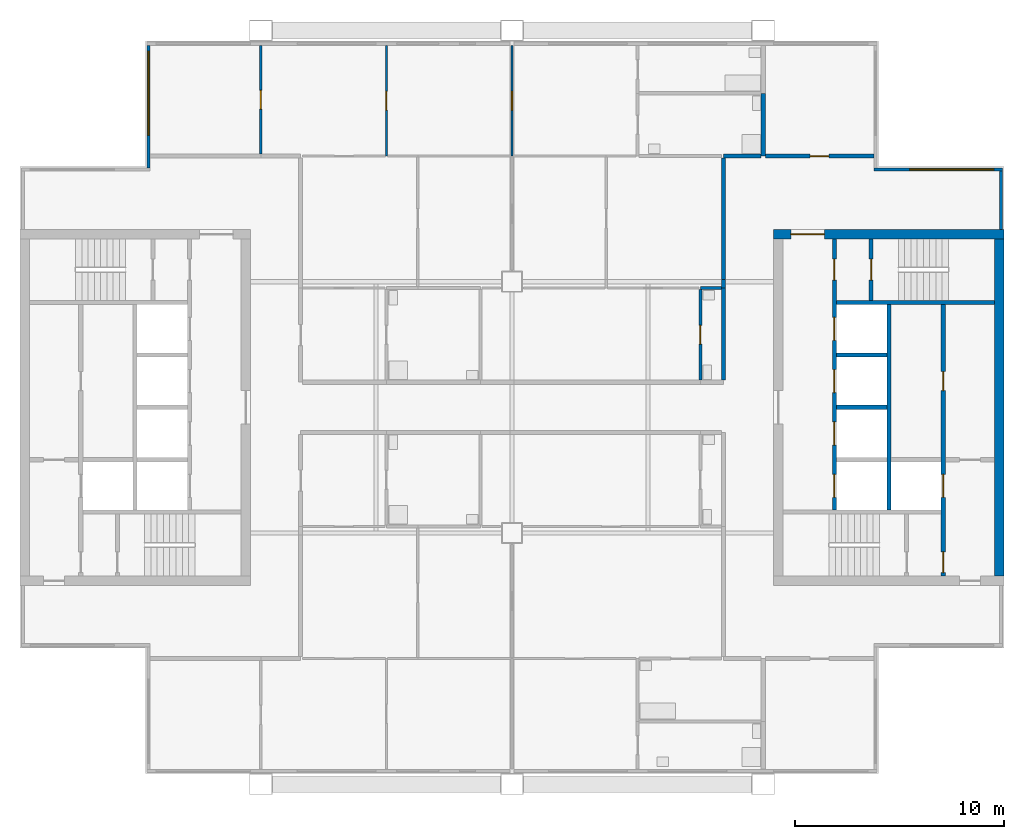
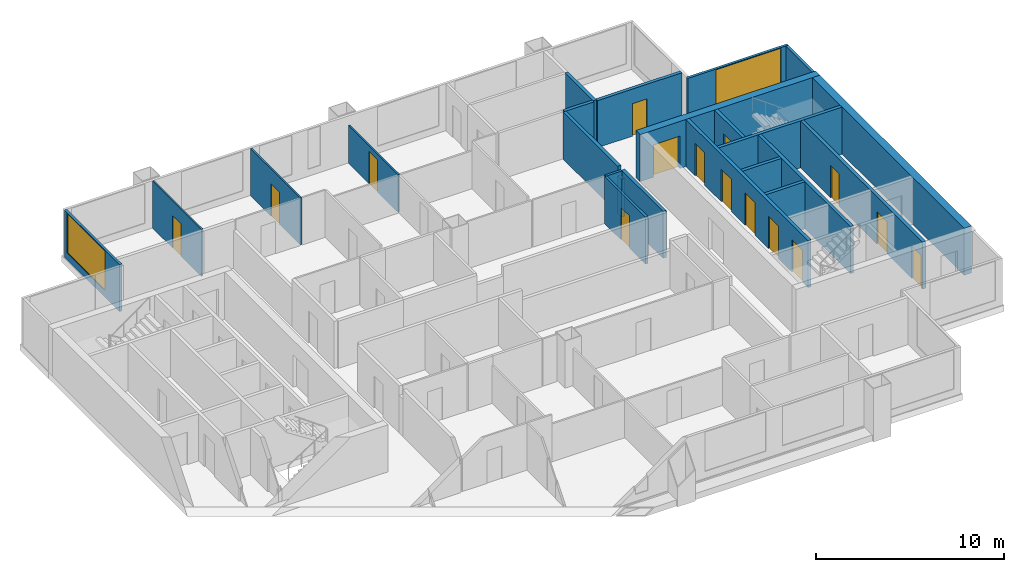
# One storey, part 5 of 8: 23 walls, 15 doors, 2 windows, 17 openings.
"""IFC4 building model written with IfcOpenShell, lengths in metres."""

from ifc_helpers import new_model, si_unit, direction, frame, frame_2d, origin, place, context, subcontext, project, spatial, rectangle, extrude, material, layer, layer_set, type_object, element, fill, save


model = new_model("IFC4")

# Units and contexts
model_context = context("Model", 3, precision=1e-05, world=origin(), true_north=direction((0.0, 1.0)))
body_context = subcontext(model_context, "Body", "Model", "MODEL_VIEW")
ifc_project = project(units=[si_unit("LENGTHUNIT", "METRE"), si_unit("AREAUNIT", "SQUARE_METRE"), si_unit("VOLUMEUNIT", "CUBIC_METRE"), si_unit("PLANEANGLEUNIT", "RADIAN"), si_unit("MASSUNIT", "GRAM", prefix="KILO")], contexts=[model_context])

# Site, building, storey
site_placement = place(None, origin())
site = spatial("IfcSite", under=ifc_project, at=site_placement, CompositionType="ELEMENT")
building_placement = place(site_placement, origin())
building = spatial("IfcBuilding", under=site, at=building_placement, Name="Kitamizu Gate Tower and Museum", CompositionType="ELEMENT")
storey_placement = place(building_placement, frame((0.0, 0.0, 235.199951171875)))
storey = spatial("IfcBuildingStorey", under=building, at=storey_placement, Name="L63", CompositionType="ELEMENT", Elevation=235.199951171875)

# Wall, opening, door
ifc_material_1 = material(Name="Concrete Fc42", Category="concrete")
ifc_layer_1 = layer(ifc_material_1, 0.449951171875)
ifc_layer_set_1 = layer_set([ifc_layer_1], Name="Concrete Fc42")
wall_type_1 = type_object("IfcWallType", Name="Core wall 450", PredefinedType="SHEAR", material=ifc_layer_set_1)
wall_1_placement = place(storey_placement, frame((59.5, 38.27490234375, 0.0), z_axis=(0.0, 0.0, 1.0), x_axis=(-1.0, 0.0, 0.0)))
wall_1 = element("IfcWall", 1, at=wall_1_placement, inside=storey, type_object=wall_type_1, Name="Core wall EN", PredefinedType="SHEAR", context=body_context, shape_type="SweptSolid", body=[
    extrude(rectangle(XDim=11.0, YDim=0.449951171875, at=frame_2d((5.5, 0.0))), origin(), (0.0, 0.0, 1.0), 3.050048828125),
])
opening_1_placement = place(wall_1_placement, frame((8.574951171875, 0.0, 0.0)))
opening_1 = element("IfcOpeningElement", 2, at=opening_1_placement, cuts=wall_1, Name="Opening L63-045", PredefinedType="OPENING", context=body_context, shape_type="SweptSolid", body=[
    extrude(rectangle(XDim=1.60009765625, YDim=2.10009765625, at=frame_2d((0.800048828125, 1.050048828125))), frame((0.0, 0.23486328125, 0.0), z_axis=(0.0, -1.0, 0.0), x_axis=(1.0, 0.0, 0.0)), (0.0, 0.0, 1.0), 0.469970703125),
])
ifc_material_2 = material(Name="Timber door set", Category="wood")
door_type_1 = type_object("IfcDoorType", Name="Entrance door 1600", OperationType="DOUBLE_DOOR_SINGLE_SWING", PredefinedType="DOOR", material=ifc_material_2)
door_1_placement = place(opening_1_placement, origin())
door_1 = element("IfcDoor", 3, at=door_1_placement, inside=storey, type_object=door_type_1, Name="Lobby door L63-045", OperationType="DOUBLE_DOOR_SINGLE_SWING", OverallHeight=2.10009765625, OverallWidth=1.60009765625, PredefinedType="DOOR", context=body_context, shape_type="SweptSolid", body=[
    extrude(rectangle(XDim=1.60009765625, YDim=2.10009765625, at=frame_2d((0.800048828125, 1.050048828125))), frame((0.0, 0.02490234375, 0.0), z_axis=(0.0, -1.0, 0.0), x_axis=(1.0, 0.0, 0.0)), (0.0, 0.0, 1.0), 0.050048828125),
])
fill(opening_1, door_1)

# Wall
wall_2_placement = place(storey_placement, frame((59.27490234375, 21.949951171875, 0.0), z_axis=(0.0, 0.0, 1.0), x_axis=(0.0, 1.0, 0.0)))
element("IfcWall", 4, at=wall_2_placement, inside=storey, type_object=wall_type_1, Name="Core wall EOUT", PredefinedType="SHEAR", context=body_context, shape_type="SweptSolid", body=[
    extrude(rectangle(XDim=16.10009765625, YDim=0.449951171875, at=frame_2d((8.050048828125, 0.0))), origin(), (0.0, 0.0, 1.0), 3.050048828125),
])

# Wall, opening, door
ifc_material_3 = material(Name="Gypsum board on galvanised stud")
ifc_layer_2 = layer(ifc_material_3, 0.10009765625)
ifc_layer_set_2 = layer_set([ifc_layer_2], Name="Gypsum board on galvanised stud")
wall_type_2 = type_object("IfcWallType", Name="Partition 100 NOT RATED", PredefinedType="PARTITIONING", material=ifc_layer_set_2)
wall_3_placement = place(storey_placement, frame((24.0, 42.10009765625, 0.0), z_axis=(0.0, 0.0, 1.0), x_axis=(0.0, 1.0, 0.0)))
wall_3 = element("IfcWall", 5, at=wall_3_placement, inside=storey, type_object=wall_type_2, Name="Partition L63-038", PredefinedType="PARTITIONING", context=body_context, shape_type="SweptSolid", body=[
    extrude(rectangle(XDim=5.179931640625, YDim=0.10009765625, at=frame_2d((2.58984375, 0.0))), origin(), (0.0, 0.0, 1.0), 3.050048828125),
])
opening_2_placement = place(wall_3_placement, frame((2.139892578125, 0.0, 0.0)))
opening_2 = element("IfcOpeningElement", 6, at=opening_2_placement, cuts=wall_3, Name="Opening L63-027", PredefinedType="OPENING", context=body_context, shape_type="SweptSolid", body=[
    extrude(rectangle(XDim=0.89990234375, YDim=2.10009765625, at=frame_2d((0.449951171875, 1.050048828125))), frame((0.0, 0.06005859375, 0.0), z_axis=(0.0, -1.0, 0.0), x_axis=(1.0, 0.0, 0.0)), (0.0, 0.0, 1.0), 0.1201171875),
])
ifc_material_4 = material(Name="Timber door set", Category="wood")
door_type_2 = type_object("IfcDoorType", Name="Room door 900", OperationType="NOTDEFINED", PredefinedType="DOOR", material=ifc_material_4)
door_2_placement = place(opening_2_placement, origin())
door_2 = element("IfcDoor", 7, at=door_2_placement, inside=storey, type_object=door_type_2, Name="Door L63-027", OperationType="SINGLE_SWING_RIGHT", OverallHeight=2.10009765625, OverallWidth=0.89990234375, PredefinedType="DOOR", context=body_context, shape_type="SweptSolid", body=[
    extrude(rectangle(XDim=0.89990234375, YDim=2.10009765625, at=frame_2d((0.449951171875, 1.050048828125))), frame((0.0, 0.02490234375, 0.0), z_axis=(0.0, -1.0, 0.0), x_axis=(1.0, 0.0, 0.0)), (0.0, 0.0, 1.0), 0.050048828125),
])
fill(opening_2, door_2)

wall_4_placement = place(storey_placement, frame((30.0, 42.0, 0.0), z_axis=(0.0, 0.0, 1.0), x_axis=(0.0, 1.0, 0.0)))
wall_4 = element("IfcWall", 8, at=wall_4_placement, inside=storey, type_object=wall_type_2, Name="Partition L63-040", PredefinedType="PARTITIONING", context=body_context, shape_type="SweptSolid", body=[
    extrude(rectangle(XDim=5.280029296875, YDim=0.10009765625, at=frame_2d((2.64013671875, 0.0))), origin(), (0.0, 0.0, 1.0), 3.050048828125),
])
opening_3_placement = place(wall_4_placement, frame((2.18994140625, 0.0, 0.0)))
opening_3 = element("IfcOpeningElement", 9, at=opening_3_placement, cuts=wall_4, Name="Opening L63-018", PredefinedType="OPENING", context=body_context, shape_type="SweptSolid", body=[
    extrude(rectangle(XDim=0.89990234375, YDim=2.10009765625, at=frame_2d((0.449951171875, 1.050048828125))), frame((0.0, 0.06005859375, 0.0), z_axis=(0.0, -1.0, 0.0), x_axis=(1.0, 0.0, 0.0)), (0.0, 0.0, 1.0), 0.1201171875),
])
door_3_placement = place(opening_3_placement, origin())
door_3 = element("IfcDoor", 10, at=door_3_placement, inside=storey, type_object=door_type_2, Name="Door L63-018", OperationType="SINGLE_SWING_LEFT", OverallHeight=2.10009765625, OverallWidth=0.89990234375, PredefinedType="DOOR", context=body_context, shape_type="SweptSolid", body=[
    extrude(rectangle(XDim=0.89990234375, YDim=2.10009765625, at=frame_2d((0.449951171875, 1.050048828125))), frame((0.0, 0.02490234375, 0.0), z_axis=(0.0, -1.0, 0.0), x_axis=(1.0, 0.0, 0.0)), (0.0, 0.0, 1.0), 0.050048828125),
])
fill(opening_3, door_3)

wall_5_placement = place(storey_placement, frame((36.0, 42.0, 0.0), z_axis=(0.0, 0.0, 1.0), x_axis=(0.0, 1.0, 0.0)))
wall_5 = element("IfcWall", 11, at=wall_5_placement, inside=storey, type_object=wall_type_2, Name="Partition L63-043", PredefinedType="PARTITIONING", context=body_context, shape_type="SweptSolid", body=[
    extrude(rectangle(XDim=5.280029296875, YDim=0.10009765625, at=frame_2d((2.64013671875, 0.0))), origin(), (0.0, 0.0, 1.0), 2.449951171875),
])
opening_4_placement = place(wall_5_placement, frame((2.18994140625, 0.0, 0.0)))
opening_4 = element("IfcOpeningElement", 12, at=opening_4_placement, cuts=wall_5, Name="Opening L63-019", PredefinedType="OPENING", context=body_context, shape_type="SweptSolid", body=[
    extrude(rectangle(XDim=0.89990234375, YDim=2.10009765625, at=frame_2d((0.449951171875, 1.050048828125))), frame((0.0, 0.06005859375, 0.0), z_axis=(0.0, -1.0, 0.0), x_axis=(1.0, 0.0, 0.0)), (0.0, 0.0, 1.0), 0.1201171875),
])
door_4_placement = place(opening_4_placement, origin())
door_4 = element("IfcDoor", 13, at=door_4_placement, inside=storey, type_object=door_type_2, Name="Door L63-019", OperationType="SINGLE_SWING_RIGHT", OverallHeight=2.10009765625, OverallWidth=0.89990234375, PredefinedType="DOOR", context=body_context, shape_type="SweptSolid", body=[
    extrude(rectangle(XDim=0.89990234375, YDim=2.10009765625, at=frame_2d((0.449951171875, 1.050048828125))), frame((0.0, 0.02490234375, 0.0), z_axis=(0.0, -1.0, 0.0), x_axis=(1.0, 0.0, 0.0)), (0.0, 0.0, 1.0), 0.050048828125),
])
fill(opening_4, door_4)

# Wall
ifc_material_5 = material(Name="Gypsum board on galvanised stud")
ifc_layer_3 = layer(ifc_material_5, 0.14990234375)
ifc_layer_set_3 = layer_set([ifc_layer_3], Name="Gypsum board on galvanised stud")
wall_type_3 = type_object("IfcWallType", Name="Partition 150", PredefinedType="PARTITIONING", material=ifc_layer_set_3)
wall_6_placement = place(storey_placement, frame((45.0, 35.699951171875, 0.0), z_axis=(0.0, 0.0, 1.0), x_axis=(1.0, 0.0, 0.0)))
element("IfcWall", 14, at=wall_6_placement, inside=storey, type_object=wall_type_3, Name="Partition L63-067", PredefinedType="PARTITIONING", context=body_context, shape_type="SweptSolid", body=[
    extrude(rectangle(XDim=1.0, YDim=0.14990234375, at=frame_2d((0.5, 0.0))), origin(), (0.0, 0.0, 1.0), 3.050048828125),
])

# Wall, opening, door
wall_7_placement = place(storey_placement, frame((45.0, 31.300048828125, 0.0), z_axis=(0.0, 0.0, 1.0), x_axis=(0.0, 1.0, 0.0)))
wall_7 = element("IfcWall", 15, at=wall_7_placement, inside=storey, type_object=wall_type_3, Name="Partition L63-075", PredefinedType="PARTITIONING", context=body_context, shape_type="SweptSolid", body=[
    extrude(rectangle(XDim=4.324951171875, YDim=0.14990234375, at=frame_2d((2.16259765625, 0.0))), origin(), (0.0, 0.0, 1.0), 3.050048828125),
])
opening_5_placement = place(wall_7_placement, frame((1.71240234375, 0.0, 0.0)))
opening_5 = element("IfcOpeningElement", 16, at=opening_5_placement, cuts=wall_7, Name="Opening L63-026", PredefinedType="OPENING", context=body_context, shape_type="SweptSolid", body=[
    extrude(rectangle(XDim=0.89990234375, YDim=2.10009765625, at=frame_2d((0.449951171875, 1.050048828125))), frame((0.0, 0.0849609375, 0.0), z_axis=(0.0, -1.0, 0.0), x_axis=(1.0, 0.0, 0.0)), (0.0, 0.0, 1.0), 0.169921875),
])
ifc_material_6 = material(Name="Timber door set", Category="wood")
door_type_3 = type_object("IfcDoorType", Name="Bathroom door 900", OperationType="NOTDEFINED", PredefinedType="DOOR", material=ifc_material_6)
door_5_placement = place(opening_5_placement, frame((0.89990234375, 0.0, 0.0), x_axis=(-1.0, 0.0, 0.0)))
door_5 = element("IfcDoor", 17, at=door_5_placement, inside=storey, type_object=door_type_3, Name="Bathroom door L63-026", OperationType="SINGLE_SWING_RIGHT", OverallHeight=2.10009765625, OverallWidth=0.89990234375, PredefinedType="DOOR", context=body_context, shape_type="SweptSolid", body=[
    extrude(rectangle(XDim=0.89990234375, YDim=2.10009765625, at=frame_2d((0.449951171875, 1.050048828125))), frame((0.0, 0.02490234375, 0.0), z_axis=(0.0, -1.0, 0.0), x_axis=(1.0, 0.0, 0.0)), (0.0, 0.0, 1.0), 0.050048828125),
])
fill(opening_5, door_5)

# Walls
ifc_material_7 = material(Name="Gypsum board on galvanised stud")
ifc_layer_4 = layer(ifc_material_7, 0.199951171875)
ifc_layer_set_4 = layer_set([ifc_layer_4], Name="Gypsum board on galvanised stud")
wall_type_4 = type_object("IfcWallType", Name="Partition 200", PredefinedType="PARTITIONING", material=ifc_layer_set_4)
wall_8_placement = place(storey_placement, frame((48.0, 42.0, 0.0), z_axis=(0.0, 0.0, 1.0), x_axis=(0.0, 1.0, 0.0)))
element("IfcWall", 18, at=wall_8_placement, inside=storey, type_object=wall_type_4, Name="Partition L63-052", PredefinedType="PARTITIONING", context=body_context, shape_type="SweptSolid", body=[
    extrude(rectangle(XDim=3.0, YDim=0.199951171875, at=frame_2d((1.5, 0.0))), origin(), (0.0, 0.0, 1.0), 3.050048828125),
])
wall_9_placement = place(storey_placement, frame((46.10009765625, 42.0, 0.0), z_axis=(0.0, 0.0, 1.0), x_axis=(1.0, 0.0, 0.0)))
element("IfcWall", 19, at=wall_9_placement, inside=storey, type_object=wall_type_4, Name="Partition L63-053", PredefinedType="PARTITIONING", context=body_context, shape_type="SweptSolid", body=[
    extrude(rectangle(XDim=1.7998046875, YDim=0.199951171875, at=frame_2d((0.89990234375, 0.0))), origin(), (0.0, 0.0, 1.0), 3.050048828125),
])
wall_10_placement = place(storey_placement, frame((46.10009765625, 35.699951171875, 0.0), z_axis=(0.0, 0.0, 1.0), x_axis=(0.0, 1.0, 0.0)))
element("IfcWall", 20, at=wall_10_placement, inside=storey, type_object=wall_type_4, Name="Partition L63-068", PredefinedType="PARTITIONING", context=body_context, shape_type="SweptSolid", body=[
    extrude(rectangle(XDim=0.400146484375, YDim=0.199951171875, at=frame_2d((0.2001953125, 0.0))), origin(), (0.0, 0.0, 1.0), 2.449951171875),
])
wall_11_placement = place(storey_placement, frame((46.10009765625, 36.10009765625, 0.0), z_axis=(0.0, 0.0, 1.0), x_axis=(0.0, 1.0, 0.0)))
element("IfcWall", 21, at=wall_11_placement, inside=storey, type_object=wall_type_4, Name="Partition L63-069", PredefinedType="PARTITIONING", context=body_context, shape_type="SweptSolid", body=[
    extrude(rectangle(XDim=5.7998046875, YDim=0.199951171875, at=frame_2d((2.89990234375, 0.0))), origin(), (0.0, 0.0, 1.0), 3.050048828125),
])
wall_12_placement = place(storey_placement, frame((46.10009765625, 31.300048828125, 0.0), z_axis=(0.0, 0.0, 1.0), x_axis=(0.0, 1.0, 0.0)))
element("IfcWall", 22, at=wall_12_placement, inside=storey, type_object=wall_type_4, Name="Partition L63-079", PredefinedType="PARTITIONING", context=body_context, shape_type="SweptSolid", body=[
    extrude(rectangle(XDim=4.39990234375, YDim=0.199951171875, at=frame_2d((2.199951171875, 0.0))), origin(), (0.0, 0.0, 1.0), 3.050048828125),
])

# Wall, opening, door
wall_13_placement = place(storey_placement, frame((48.10009765625, 42.0, 0.0), z_axis=(0.0, 0.0, 1.0), x_axis=(1.0, 0.0, 0.0)))
wall_13 = element("IfcWall", 23, at=wall_13_placement, inside=storey, type_object=wall_type_4, Name="Partition L63-081", PredefinedType="PARTITIONING", context=body_context, shape_type="SweptSolid", body=[
    extrude(rectangle(XDim=5.179931640625, YDim=0.199951171875, at=frame_2d((2.58984375, 0.0))), origin(), (0.0, 0.0, 1.0), 3.050048828125),
])
opening_6_placement = place(wall_13_placement, frame((2.139892578125, 0.0, 0.0)))
opening_6 = element("IfcOpeningElement", 24, at=opening_6_placement, cuts=wall_13, Name="Opening L63-029", PredefinedType="OPENING", context=body_context, shape_type="SweptSolid", body=[
    extrude(rectangle(XDim=0.89990234375, YDim=2.10009765625, at=frame_2d((0.449951171875, 1.050048828125))), frame((0.0, 0.10986328125, 0.0), z_axis=(0.0, -1.0, 0.0), x_axis=(1.0, 0.0, 0.0)), (0.0, 0.0, 1.0), 0.219970703125),
])
door_6_placement = place(opening_6_placement, origin())
door_6 = element("IfcDoor", 25, at=door_6_placement, inside=storey, type_object=door_type_2, Name="Door L63-029", OperationType="SINGLE_SWING_RIGHT", OverallHeight=2.10009765625, OverallWidth=0.89990234375, PredefinedType="DOOR", context=body_context, shape_type="SweptSolid", body=[
    extrude(rectangle(XDim=0.89990234375, YDim=2.10009765625, at=frame_2d((0.449951171875, 1.050048828125))), frame((0.0, 0.02490234375, 0.0), z_axis=(0.0, -1.0, 0.0), x_axis=(1.0, 0.0, 0.0)), (0.0, 0.0, 1.0), 0.050048828125),
])
fill(opening_6, door_6)

# Wall, openings, doors
ifc_material_8 = material(Name="Concrete Fc42", Category="concrete")
ifc_layer_5 = layer(ifc_material_8, 0.199951171875)
ifc_layer_set_5 = layer_set([ifc_layer_5], Name="Concrete Fc42")
wall_type_5 = type_object("IfcWallType", Name="Shaft wall 200", PredefinedType="SOLIDWALL", material=ifc_layer_set_5)
wall_14_placement = place(storey_placement, frame((56.60009765625, 21.949951171875, 0.0), z_axis=(0.0, 0.0, 1.0), x_axis=(0.0, 1.0, 0.0)))
wall_14 = element("IfcWall", 26, at=wall_14_placement, inside=storey, type_object=wall_type_5, Name="Shaft wall EWEST", PredefinedType="SOLIDWALL", context=body_context, shape_type="SweptSolid", body=[
    extrude(rectangle(XDim=12.949951171875, YDim=0.199951171875, at=frame_2d((6.47509765625, 0.0))), origin(), (0.0, 0.0, 1.0), 3.050048828125),
])
opening_7_placement = place(wall_14_placement, frame((3.75, 0.0, 0.0)))
opening_7 = element("IfcOpeningElement", 27, at=opening_7_placement, cuts=wall_14, Name="Opening LD", PredefinedType="OPENING", context=body_context, shape_type="SweptSolid", body=[
    extrude(rectangle(XDim=1.10009765625, YDim=2.10009765625, at=frame_2d((0.550048828125, 1.050048828125))), frame((0.0, 0.10986328125, 0.0), z_axis=(0.0, -1.0, 0.0), x_axis=(1.0, 0.0, 0.0)), (0.0, 0.0, 1.0), 0.219970703125),
])
opening_8_placement = place(wall_14_placement, frame((0.14990234375, 0.0, 0.0)))
opening_8 = element("IfcOpeningElement", 28, at=opening_8_placement, cuts=wall_14, Name="Opening L63-040", PredefinedType="OPENING", context=body_context, shape_type="SweptSolid", body=[
    extrude(rectangle(XDim=1.0, YDim=2.10009765625, at=frame_2d((0.5, 1.050048828125))), frame((0.0, 0.10986328125, 0.0), z_axis=(0.0, -1.0, 0.0), x_axis=(1.0, 0.0, 0.0)), (0.0, 0.0, 1.0), 0.219970703125),
])
opening_9_placement = place(wall_14_placement, frame((8.85009765625, 0.0, 0.0)))
opening_9 = element("IfcOpeningElement", 29, at=opening_9_placement, cuts=wall_14, Name="Opening L63-047", PredefinedType="OPENING", context=body_context, shape_type="SweptSolid", body=[
    extrude(rectangle(XDim=0.89990234375, YDim=2.10009765625, at=frame_2d((0.449951171875, 1.050048828125))), frame((0.0, 0.10986328125, 0.0), z_axis=(0.0, -1.0, 0.0), x_axis=(1.0, 0.0, 0.0)), (0.0, 0.0, 1.0), 0.219970703125),
])
ifc_material_9 = material(Name="Hollow metal door set")
door_type_4 = type_object("IfcDoorType", Name="Fire door 1000", OperationType="NOTDEFINED", PredefinedType="DOOR", material=ifc_material_9)
door_7_placement = place(opening_8_placement, origin())
door_7 = element("IfcDoor", 30, at=door_7_placement, inside=storey, type_object=door_type_4, Name="Stair lobby door L63-040", OperationType="SINGLE_SWING_RIGHT", OverallHeight=2.10009765625, OverallWidth=1.0, PredefinedType="DOOR", context=body_context, shape_type="SweptSolid", body=[
    extrude(rectangle(XDim=1.0, YDim=2.10009765625, at=frame_2d((0.5, 1.050048828125))), frame((0.0, 0.02490234375, 0.0), z_axis=(0.0, -1.0, 0.0), x_axis=(1.0, 0.0, 0.0)), (0.0, 0.0, 1.0), 0.050048828125),
])
fill(opening_8, door_7)
ifc_material_10 = material(Name="Hollow metal door set")
door_type_5 = type_object("IfcDoorType", Name="Landing door 1100", OperationType="SLIDING_TO_LEFT", PredefinedType="DOOR", material=ifc_material_10)
door_8_placement = place(opening_7_placement, origin())
door_8 = element("IfcDoor", 31, at=door_8_placement, inside=storey, type_object=door_type_5, Name="Landing door EFF1", OperationType="SLIDING_TO_LEFT", OverallHeight=2.10009765625, OverallWidth=1.10009765625, PredefinedType="DOOR", context=body_context, shape_type="SweptSolid", body=[
    extrude(rectangle(XDim=1.10009765625, YDim=2.10009765625, at=frame_2d((0.550048828125, 1.050048828125))), frame((0.0, 0.02490234375, 0.0), z_axis=(0.0, -1.0, 0.0), x_axis=(1.0, 0.0, 0.0)), (0.0, 0.0, 1.0), 0.050048828125),
])
fill(opening_7, door_8)
ifc_material_11 = material(Name="Timber door set", Category="wood")
door_type_6 = type_object("IfcDoorType", Name="Service door 900", OperationType="NOTDEFINED", PredefinedType="DOOR", material=ifc_material_11)
door_9_placement = place(opening_9_placement, origin())
door_9 = element("IfcDoor", 32, at=door_9_placement, inside=storey, type_object=door_type_6, Name="Service door L63-047", OperationType="SINGLE_SWING_RIGHT", OverallHeight=2.10009765625, OverallWidth=0.89990234375, PredefinedType="DOOR", context=body_context, shape_type="SweptSolid", body=[
    extrude(rectangle(XDim=0.89990234375, YDim=2.10009765625, at=frame_2d((0.449951171875, 1.050048828125))), frame((0.0, 0.02490234375, 0.0), z_axis=(0.0, -1.0, 0.0), x_axis=(1.0, 0.0, 0.0)), (0.0, 0.0, 1.0), 0.050048828125),
])
fill(opening_9, door_9)

wall_15_placement = place(storey_placement, frame((51.39990234375, 25.10009765625, 0.0), z_axis=(0.0, 0.0, 1.0), x_axis=(0.0, 1.0, 0.0)))
wall_15 = element("IfcWall", 33, at=wall_15_placement, inside=storey, type_object=wall_type_5, Name="Shaft wall EEAST", PredefinedType="SOLIDWALL", context=body_context, shape_type="SweptSolid", body=[
    extrude(rectangle(XDim=12.949951171875, YDim=0.199951171875, at=frame_2d((6.47509765625, 0.0))), origin(), (0.0, 0.0, 1.0), 3.050048828125),
])
opening_10_placement = place(wall_15_placement, frame((0.60009765625, 0.0, 0.0)))
opening_10 = element("IfcOpeningElement", 34, at=opening_10_placement, cuts=wall_15, Name="Opening LD", PredefinedType="OPENING", context=body_context, shape_type="SweptSolid", body=[
    extrude(rectangle(XDim=1.10009765625, YDim=2.10009765625, at=frame_2d((0.550048828125, 1.050048828125))), frame((0.0, 0.10986328125, 0.0), z_axis=(0.0, -1.0, 0.0), x_axis=(1.0, 0.0, 0.0)), (0.0, 0.0, 1.0), 0.219970703125),
])
opening_11_placement = place(wall_15_placement, frame((3.10009765625, 0.0, 0.0)))
opening_11 = element("IfcOpeningElement", 35, at=opening_11_placement, cuts=wall_15, Name="Opening LD", PredefinedType="OPENING", context=body_context, shape_type="SweptSolid", body=[
    extrude(rectangle(XDim=1.10009765625, YDim=2.10009765625, at=frame_2d((0.550048828125, 1.050048828125))), frame((0.0, 0.10986328125, 0.0), z_axis=(0.0, -1.0, 0.0), x_axis=(1.0, 0.0, 0.0)), (0.0, 0.0, 1.0), 0.219970703125),
])
opening_12_placement = place(wall_15_placement, frame((5.60009765625, 0.0, 0.0)))
opening_12 = element("IfcOpeningElement", 36, at=opening_12_placement, cuts=wall_15, Name="Opening LD", PredefinedType="OPENING", context=body_context, shape_type="SweptSolid", body=[
    extrude(rectangle(XDim=1.10009765625, YDim=2.10009765625, at=frame_2d((0.550048828125, 1.050048828125))), frame((0.0, 0.10986328125, 0.0), z_axis=(0.0, -1.0, 0.0), x_axis=(1.0, 0.0, 0.0)), (0.0, 0.0, 1.0), 0.219970703125),
])
opening_13_placement = place(wall_15_placement, frame((8.10009765625, 0.0, 0.0)))
opening_13 = element("IfcOpeningElement", 37, at=opening_13_placement, cuts=wall_15, Name="Opening LD", PredefinedType="OPENING", context=body_context, shape_type="SweptSolid", body=[
    extrude(rectangle(XDim=1.10009765625, YDim=2.10009765625, at=frame_2d((0.550048828125, 1.050048828125))), frame((0.0, 0.10986328125, 0.0), z_axis=(0.0, -1.0, 0.0), x_axis=(1.0, 0.0, 0.0)), (0.0, 0.0, 1.0), 0.219970703125),
])
opening_14_placement = place(wall_15_placement, frame((10.97509765625, 0.0, 0.0)))
opening_14 = element("IfcOpeningElement", 38, at=opening_14_placement, cuts=wall_15, Name="Opening L63-041", PredefinedType="OPENING", context=body_context, shape_type="SweptSolid", body=[
    extrude(rectangle(XDim=1.0, YDim=2.10009765625, at=frame_2d((0.5, 1.050048828125))), frame((0.0, 0.10986328125, 0.0), z_axis=(0.0, -1.0, 0.0), x_axis=(1.0, 0.0, 0.0)), (0.0, 0.0, 1.0), 0.219970703125),
])
door_10_placement = place(opening_14_placement, frame((1.0, 0.0, 0.0), x_axis=(-1.0, 0.0, 0.0)))
door_10 = element("IfcDoor", 39, at=door_10_placement, inside=storey, type_object=door_type_4, Name="Stair lobby door L63-041", OperationType="SINGLE_SWING_LEFT", OverallHeight=2.10009765625, OverallWidth=1.0, PredefinedType="DOOR", context=body_context, shape_type="SweptSolid", body=[
    extrude(rectangle(XDim=1.0, YDim=2.10009765625, at=frame_2d((0.5, 1.050048828125))), frame((0.0, 0.02490234375, 0.0), z_axis=(0.0, -1.0, 0.0), x_axis=(1.0, 0.0, 0.0)), (0.0, 0.0, 1.0), 0.050048828125),
])
fill(opening_14, door_10)
door_11_placement = place(opening_10_placement, origin())
door_11 = element("IfcDoor", 40, at=door_11_placement, inside=storey, type_object=door_type_5, Name="Landing door ESV1", OperationType="SLIDING_TO_LEFT", OverallHeight=2.10009765625, OverallWidth=1.10009765625, PredefinedType="DOOR", context=body_context, shape_type="SweptSolid", body=[
    extrude(rectangle(XDim=1.10009765625, YDim=2.10009765625, at=frame_2d((0.550048828125, 1.050048828125))), frame((0.0, 0.02490234375, 0.0), z_axis=(0.0, -1.0, 0.0), x_axis=(1.0, 0.0, 0.0)), (0.0, 0.0, 1.0), 0.050048828125),
])
fill(opening_10, door_11)
door_12_placement = place(opening_11_placement, origin())
door_12 = element("IfcDoor", 41, at=door_12_placement, inside=storey, type_object=door_type_5, Name="Landing door EH1", OperationType="SLIDING_TO_LEFT", OverallHeight=2.10009765625, OverallWidth=1.10009765625, PredefinedType="DOOR", context=body_context, shape_type="SweptSolid", body=[
    extrude(rectangle(XDim=1.10009765625, YDim=2.10009765625, at=frame_2d((0.550048828125, 1.050048828125))), frame((0.0, 0.02490234375, 0.0), z_axis=(0.0, -1.0, 0.0), x_axis=(1.0, 0.0, 0.0)), (0.0, 0.0, 1.0), 0.050048828125),
])
fill(opening_11, door_12)
door_13_placement = place(opening_12_placement, origin())
door_13 = element("IfcDoor", 42, at=door_13_placement, inside=storey, type_object=door_type_5, Name="Landing door EH2", OperationType="SLIDING_TO_LEFT", OverallHeight=2.10009765625, OverallWidth=1.10009765625, PredefinedType="DOOR", context=body_context, shape_type="SweptSolid", body=[
    extrude(rectangle(XDim=1.10009765625, YDim=2.10009765625, at=frame_2d((0.550048828125, 1.050048828125))), frame((0.0, 0.02490234375, 0.0), z_axis=(0.0, -1.0, 0.0), x_axis=(1.0, 0.0, 0.0)), (0.0, 0.0, 1.0), 0.050048828125),
])
fill(opening_12, door_13)
door_14_placement = place(opening_13_placement, origin())
door_14 = element("IfcDoor", 43, at=door_14_placement, inside=storey, type_object=door_type_5, Name="Landing door EH3", OperationType="SLIDING_TO_LEFT", OverallHeight=2.10009765625, OverallWidth=1.10009765625, PredefinedType="DOOR", context=body_context, shape_type="SweptSolid", body=[
    extrude(rectangle(XDim=1.10009765625, YDim=2.10009765625, at=frame_2d((0.550048828125, 1.050048828125))), frame((0.0, 0.02490234375, 0.0), z_axis=(0.0, -1.0, 0.0), x_axis=(1.0, 0.0, 0.0)), (0.0, 0.0, 1.0), 0.050048828125),
])
fill(opening_13, door_14)

# Walls
wall_16_placement = place(storey_placement, frame((54.0, 25.10009765625, 0.0), z_axis=(0.0, 0.0, 1.0), x_axis=(0.0, 1.0, 0.0)))
element("IfcWall", 44, at=wall_16_placement, inside=storey, type_object=wall_type_5, Name="Shaft wall EMID", PredefinedType="SOLIDWALL", context=body_context, shape_type="SweptSolid", body=[
    extrude(rectangle(XDim=9.7998046875, YDim=0.199951171875, at=frame_2d((4.89990234375, 0.0))), origin(), (0.0, 0.0, 1.0), 3.050048828125),
])
wall_17_placement = place(storey_placement, frame((59.050048828125, 35.0, 0.0), z_axis=(0.0, 0.0, 1.0), x_axis=(-1.0, 0.0, 0.0)))
element("IfcWall", 45, at=wall_17_placement, inside=storey, type_object=wall_type_5, Name="Shaft wall ENB", PredefinedType="SOLIDWALL", context=body_context, shape_type="SweptSolid", body=[
    extrude(rectangle(XDim=7.550048828125, YDim=0.199951171875, at=frame_2d((3.77490234375, 0.0))), origin(), (0.0, 0.0, 1.0), 3.050048828125),
])

# Wall, opening, door
wall_18_placement = place(storey_placement, frame((53.14990234375, 35.10009765625, 0.0), z_axis=(0.0, 0.0, 1.0), x_axis=(0.0, 1.0, 0.0)))
wall_18 = element("IfcWall", 46, at=wall_18_placement, inside=storey, type_object=wall_type_5, Name="Shaft wall ENZ", PredefinedType="SOLIDWALL", context=body_context, shape_type="SweptSolid", body=[
    extrude(rectangle(XDim=2.949951171875, YDim=0.199951171875, at=frame_2d((1.47509765625, 0.0))), origin(), (0.0, 0.0, 1.0), 3.050048828125),
])
opening_15_placement = place(wall_18_placement, frame((0.97509765625, 0.0, 0.0)))
opening_15 = element("IfcOpeningElement", 47, at=opening_15_placement, cuts=wall_18, Name="Opening L63-042", PredefinedType="OPENING", context=body_context, shape_type="SweptSolid", body=[
    extrude(rectangle(XDim=1.0, YDim=2.10009765625, at=frame_2d((0.5, 1.050048828125))), frame((0.0, 0.10986328125, 0.0), z_axis=(0.0, -1.0, 0.0), x_axis=(1.0, 0.0, 0.0)), (0.0, 0.0, 1.0), 0.219970703125),
])
door_15_placement = place(opening_15_placement, frame((1.0, 0.0, 0.0), x_axis=(-1.0, 0.0, 0.0)))
door_15 = element("IfcDoor", 48, at=door_15_placement, inside=storey, type_object=door_type_4, Name="Stair door L63-042", OperationType="SINGLE_SWING_RIGHT", OverallHeight=2.10009765625, OverallWidth=1.0, PredefinedType="DOOR", context=body_context, shape_type="SweptSolid", body=[
    extrude(rectangle(XDim=1.0, YDim=2.10009765625, at=frame_2d((0.5, 1.050048828125))), frame((0.0, 0.02490234375, 0.0), z_axis=(0.0, -1.0, 0.0), x_axis=(1.0, 0.0, 0.0)), (0.0, 0.0, 1.0), 0.050048828125),
])
fill(opening_15, door_15)

# Walls
for number, where, z_axis, x_axis, name in (
    (49, (53.89990234375, 30.0, 0.0), (0.0, 0.0, 1.0), (-1.0, 0.0, 0.0), "Shaft wall EDVE1"),
    (50, (53.89990234375, 32.5, 0.0), (0.0, 0.0, 1.0), (-1.0, 0.0, 0.0), "Shaft wall EDVE2"),
):
    element("IfcWall", number, at=place(storey_placement, frame(where, z_axis=z_axis, x_axis=x_axis)), inside=storey, type_object=wall_type_5, Name=name, PredefinedType="SOLIDWALL", context=body_context, shape_type="SweptSolid", body=[
        extrude(rectangle(XDim=2.39990234375, YDim=0.199951171875, at=frame_2d((1.199951171875, 0.0))), origin(), (0.0, 0.0, 1.0), 3.050048828125),
    ])
ifc_material_12 = material(Name="Bronze anodised aluminium frame with insulated spandrel and tinted glass", Category="aluminium")
ifc_layer_6 = layer(ifc_material_12, 0.14990234375)
ifc_layer_set_6 = layer_set([ifc_layer_6], Name="Bronze anodised aluminium frame with insulated spandrel and tinted glass")
wall_type_6 = type_object("IfcWallType", Name="WINDOW WALL 150 BRONZE FRAME EI 30", PredefinedType="ELEMENTEDWALL", material=ifc_layer_set_6)
wall_19_placement = place(storey_placement, frame((59.364990234375, 38.5, 0.0), z_axis=(0.0, 0.0, 1.0), x_axis=(0.0, 1.0, 0.0)))
element("IfcWall", 51, at=wall_19_placement, inside=storey, type_object=wall_type_6, Name="Window wall east L63", PredefinedType="ELEMENTEDWALL", context=body_context, shape_type="SweptSolid", body=[
    extrude(rectangle(XDim=2.7900390625, YDim=0.14990234375, at=frame_2d((1.39501953125, 0.0))), origin(), (0.0, 0.0, 1.0), 3.050048828125),
])

# Wall, opening, window
wall_20_placement = place(storey_placement, frame((53.2900390625, 41.364990234375, 0.0), z_axis=(0.0, 0.0, 1.0), x_axis=(1.0, 0.0, 0.0)))
wall_20 = element("IfcWall", 52, at=wall_20_placement, inside=storey, type_object=wall_type_6, Name="Window wall north L63", PredefinedType="ELEMENTEDWALL", context=body_context, shape_type="SweptSolid", body=[
    extrude(rectangle(XDim=6.14990234375, YDim=0.14990234375, at=frame_2d((3.074951171875, 0.0))), origin(), (0.0, 0.0, 1.0), 3.050048828125),
])
opening_16_placement = place(wall_20_placement, frame((1.7099609375, 0.0, 0.449951171875)))
opening_16 = element("IfcOpeningElement", 53, at=opening_16_placement, cuts=wall_20, Name="Opening W16", PredefinedType="OPENING", context=body_context, shape_type="SweptSolid", body=[
    extrude(rectangle(XDim=4.0, YDim=2.550048828125, at=frame_2d((2.0, 1.27490234375))), frame((0.0, 0.0849609375, 0.0), z_axis=(0.0, -1.0, 0.0), x_axis=(1.0, 0.0, 0.0)), (0.0, 0.0, 1.0), 0.169921875),
])
ifc_material_13 = material(Name="Bronze anodised aluminium frame, tinted triple glazing", Category="aluminium")
window_type = type_object("IfcWindowType", Name="WINDOW 4000 x 2550 SILL 450", PartitioningType="SINGLE_PANEL", PredefinedType="WINDOW", material=ifc_material_13)
window_1_placement = place(opening_16_placement, origin())
window_1 = element("IfcWindow", 54, at=window_1_placement, inside=storey, type_object=window_type, Name="Window W16 L63", OverallHeight=2.550048828125, OverallWidth=4.0, PartitioningType="SINGLE_PANEL", PredefinedType="WINDOW", context=body_context, shape_type="SweptSolid", body=[
    extrude(rectangle(XDim=4.0, YDim=2.550048828125, at=frame_2d((2.0, 1.27490234375))), frame((0.0, 0.030029296875, 0.0), z_axis=(0.0, -1.0, 0.0), x_axis=(1.0, 0.0, 0.0)), (0.0, 0.0, 1.0), 0.06005859375),
])
fill(opening_16, window_1)

wall_21_placement = place(storey_placement, frame((18.635009765625, 41.43994140625, 0.0), z_axis=(0.0, 0.0, 1.0), x_axis=(0.0, 1.0, 0.0)))
wall_21 = element("IfcWall", 55, at=wall_21_placement, inside=storey, type_object=wall_type_6, Name="Window wall west L63", PredefinedType="ELEMENTEDWALL", context=body_context, shape_type="SweptSolid", body=[
    extrude(rectangle(XDim=5.85009765625, YDim=0.14990234375, at=frame_2d((2.925048828125, 0.0))), origin(), (0.0, 0.0, 1.0), 3.050048828125),
])
opening_17_placement = place(wall_21_placement, frame((1.56005859375, 0.0, 0.449951171875)))
opening_17 = element("IfcOpeningElement", 56, at=opening_17_placement, cuts=wall_21, Name="Opening W16", PredefinedType="OPENING", context=body_context, shape_type="SweptSolid", body=[
    extrude(rectangle(XDim=4.0, YDim=2.550048828125, at=frame_2d((2.0, 1.27490234375))), frame((0.0, 0.0849609375, 0.0), z_axis=(0.0, -1.0, 0.0), x_axis=(1.0, 0.0, 0.0)), (0.0, 0.0, 1.0), 0.169921875),
])
window_2_placement = place(opening_17_placement, origin())
window_2 = element("IfcWindow", 57, at=window_2_placement, inside=storey, type_object=window_type, Name="Window W16 L63", OverallHeight=2.550048828125, OverallWidth=4.0, PartitioningType="SINGLE_PANEL", PredefinedType="WINDOW", context=body_context, shape_type="SweptSolid", body=[
    extrude(rectangle(XDim=4.0, YDim=2.550048828125, at=frame_2d((2.0, 1.27490234375))), frame((0.0, 0.030029296875, 0.0), z_axis=(0.0, -1.0, 0.0), x_axis=(1.0, 0.0, 0.0)), (0.0, 0.0, 1.0), 0.06005859375),
])
fill(opening_17, window_2)

save(model, "model.ifc")
